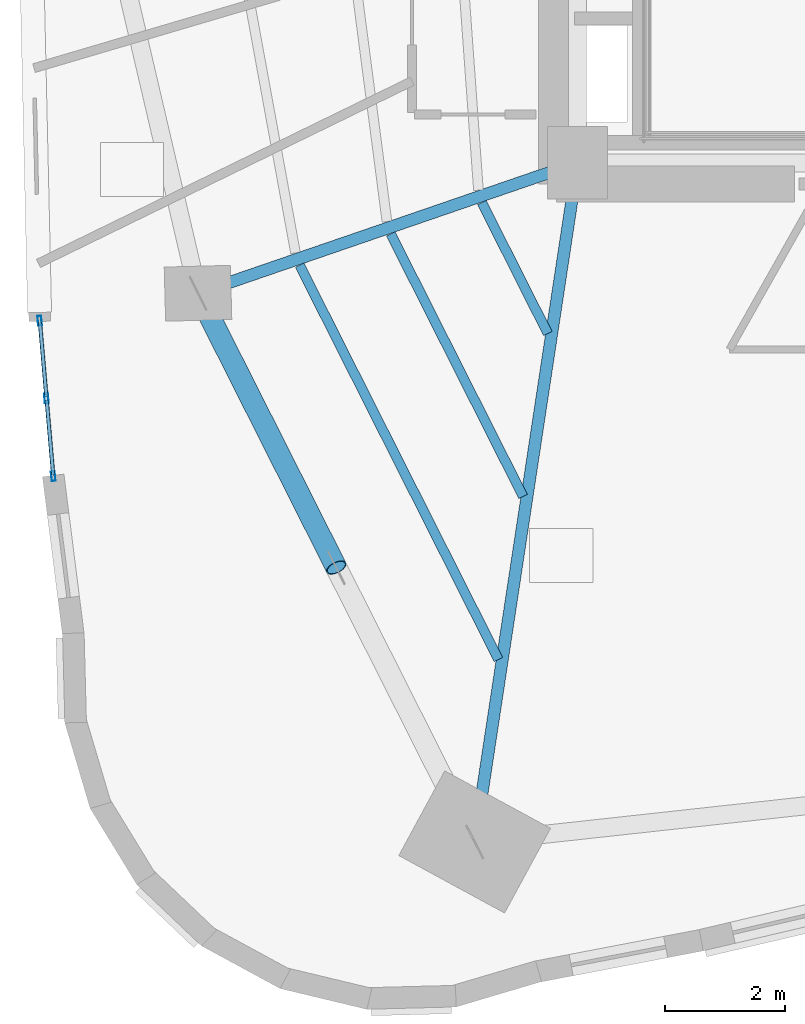
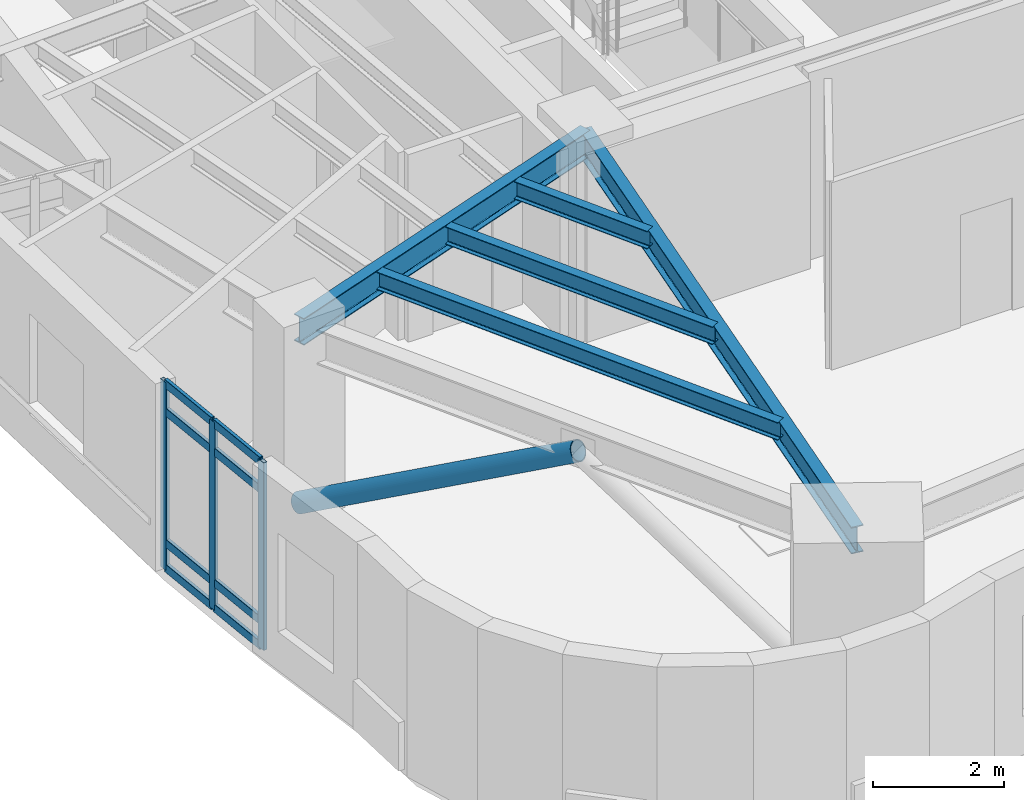
# One storey, part 2 of 16: 12 members, 5 beams, 1 element without a shape of its own.
"""IFC4 building model written with IfcOpenShell, lengths in metres."""

from ifc_helpers import new_model, si_unit, direction, frame, origin, origin_2d, place, context, subcontext, project, spatial, hollow_rectangle, hollow_circle, i_section, extrude, material, layer, layer_set, material_profile, profile_set, type_object, element, aggregate, save


model = new_model("IFC4")

# Units and contexts
model_context = context("Model", 3, precision=1e-05, world=origin(), true_north=direction((0.0, 1.0)))
body_context = subcontext(model_context, "Body", "Model", "MODEL_VIEW")
ifc_project = project(units=[si_unit("LENGTHUNIT", "METRE"), si_unit("AREAUNIT", "SQUARE_METRE"), si_unit("VOLUMEUNIT", "CUBIC_METRE"), si_unit("PLANEANGLEUNIT", "RADIAN"), si_unit("MASSUNIT", "GRAM", prefix="KILO")], contexts=[model_context])

# Site, building, storey
site_placement = place(None, origin())
site = spatial("IfcSite", under=ifc_project, at=site_placement, CompositionType="ELEMENT")
building_placement = place(site_placement, origin())
building = spatial("IfcBuilding", under=site, at=building_placement, Name="Ndelora Gate Hotel", CompositionType="ELEMENT")
storey_placement = place(building_placement, frame((0.0, 0.0, 97.25)))
storey = spatial("IfcBuildingStorey", under=building, at=storey_placement, Name="L23", CompositionType="ELEMENT", Elevation=97.25)

# Beams
ifc_material_1 = material(Name="Steel S355", Category="steel")
ifc_material_profile_1 = material_profile(ifc_material_1, i_section(OverallWidth=0.159912109375, OverallDepth=0.330078125, WebThickness=0.007568359375, FlangeThickness=0.011474609375, FilletRadius=0.01806640625, at=origin_2d()), Name="IPE 330")
ifc_profile_set_1 = profile_set([ifc_material_profile_1], Name="Steel S355")
beam_type_1 = type_object("IfcBeamType", Name="BM-JST-330", PredefinedType="JOIST", material=ifc_profile_set_1)
beam_1_placement = place(storey_placement, frame((-9.59033203125, -7.26171875, 3.3349609375), z_axis=(0.450139260243, -0.892958367668, 0.0), x_axis=(0.892958367668, 0.450139260243, 0.0)))
element("IfcBeam", 1, at=beam_1_placement, inside=storey, type_object=beam_type_1, Name="L23 Secondary Composite Floor Joist IN-4", PredefinedType="JOIST", context=body_context, shape_type="SweptSolid", body=[
    extrude(i_section(OverallWidth=0.159912109375, OverallDepth=0.330078125, WebThickness=0.007568359375, FlangeThickness=0.011474609375, FilletRadius=0.01806640625, at=origin_2d()), origin(), (0.0, 0.0, 1.0), 2.4345703125),
])
beam_2_placement = place(storey_placement, frame((-11.10400390625, -7.781982421875, 3.3349609375), z_axis=(0.450189724408, -0.892932926953, 0.0), x_axis=(0.892932926953, 0.450189724408, 0.0)))
element("IfcBeam", 2, at=beam_2_placement, inside=storey, type_object=beam_type_1, Name="L23 Secondary Composite Floor Joist MID-4", PredefinedType="JOIST", context=body_context, shape_type="SweptSolid", body=[
    extrude(i_section(OverallWidth=0.159912109375, OverallDepth=0.330078125, WebThickness=0.007568359375, FlangeThickness=0.011474609375, FilletRadius=0.01806640625, at=origin_2d()), origin(), (0.0, 0.0, 1.0), 4.885009765625),
])
beam_3_placement = place(storey_placement, frame((-12.617919921875, -8.30224609375, 3.3349609375), z_axis=(0.45023300903, -0.892911102843, 0.0), x_axis=(0.892911102843, 0.45023300903, 0.0)))
element("IfcBeam", 3, at=beam_3_placement, inside=storey, type_object=beam_type_1, Name="L23 Secondary Composite Floor Joist OUT-4", PredefinedType="JOIST", context=body_context, shape_type="SweptSolid", body=[
    extrude(i_section(OverallWidth=0.159912109375, OverallDepth=0.330078125, WebThickness=0.007568359375, FlangeThickness=0.011474609375, FilletRadius=0.01806640625, at=origin_2d()), origin(), (0.0, 0.0, 1.0), 7.335693359375),
])
ifc_material_profile_2 = material_profile(ifc_material_1, i_section(OverallWidth=0.199951171875, OverallDepth=0.5, WebThickness=0.01025390625, FlangeThickness=0.01611328125, FilletRadius=0.02099609375, at=origin_2d()), Name="IPE 500")
ifc_profile_set_2 = profile_set([ifc_material_profile_2], Name="Steel S355")
beam_type_2 = type_object("IfcBeamType", Name="BM-RAD-500", PredefinedType="BEAM", material=ifc_profile_set_2)
beam_4_placement = place(storey_placement, frame((-8.0, -6.60009765625, 3.25), z_axis=(-0.945717893913, -0.324988715392, 0.0), x_axis=(0.324988715392, -0.945717893913, 0.0)))
element("IfcBeam", 4, at=beam_4_placement, inside=storey, type_object=beam_type_2, Name="L23 Radial Floor Girder 4", PredefinedType="BEAM", context=body_context, shape_type="SweptSolid", body=[
    extrude(i_section(OverallWidth=0.199951171875, OverallDepth=0.5, WebThickness=0.01025390625, FlangeThickness=0.01611328125, FilletRadius=0.02099609375, at=origin_2d()), origin(), (0.0, 0.0, 1.0), 6.66943359375),
])
beam_5_placement = place(storey_placement, frame((-8.0, -6.60009765625, 3.25), z_axis=(-0.149864309615, -0.988706573612, 0.0), x_axis=(0.988706573612, -0.149864309615, 0.0)))
element("IfcBeam", 5, at=beam_5_placement, inside=storey, type_object=beam_type_2, Name="L23 Radial Floor Girder 5", PredefinedType="BEAM", context=body_context, shape_type="SweptSolid", body=[
    extrude(i_section(OverallWidth=0.199951171875, OverallDepth=0.5, WebThickness=0.01025390625, FlangeThickness=0.01611328125, FilletRadius=0.02099609375, at=origin_2d()), origin(), (0.0, 0.0, 1.0), 11.413330078125),
])

# Curtain wall, members
ifc_material_2 = material(Name="Bronze Anodised Unitised Aluminium and Low-E Glass", Category="aluminium")
ifc_layer = layer(ifc_material_2, 0.2099609375)
ifc_layer_set = layer_set([ifc_layer], Name="Bronze Anodised Unitised Aluminium and Low-E Glass")
curtain_wall_type = type_object("IfcCurtainWallType", Name="CW-SYS-4", PredefinedType="NOTDEFINED", material=ifc_layer_set)
curtain_wall_placement = place(storey_placement, origin())
curtain_wall = element("IfcCurtainWall", 6, at=curtain_wall_placement, inside=storey, type_object=curtain_wall_type, Name="L23 Lower Sky-Lobby & Highland Spa Curtain Wall 2", PredefinedType="NOTDEFINED")
ifc_material_3 = material(Name="Bronze Anodised Aluminium 6063-T6", Category="aluminium")
ifc_material_profile_3 = material_profile(ifc_material_3, hollow_rectangle(XDim=0.06494140625, YDim=0.159912109375, WallThickness=0.00390625, InnerFilletRadius=0.00390625, OuterFilletRadius=0.008056640625, at=origin_2d()), Name="ALU 160x65x4")
ifc_profile_set_3 = profile_set([ifc_material_profile_3], Name="Bronze Anodised Aluminium 6063-T6")
member_type_1 = type_object("IfcMemberType", Name="MB-CW-MUL150", PredefinedType="MULLION", material=ifc_profile_set_3)
member_1_placement = place(storey_placement, frame((-16.936767578125, -9.22265625, -0.00390625), z_axis=(0.0, 0.0, 1.0), x_axis=(0.996237342509, 0.086666933668, 0.0)))
member_1 = element("IfcMember", 7, at=member_1_placement, type_object=member_type_1, Name="CW4 mullion 1", PredefinedType="MULLION", context=body_context, shape_type="SweptSolid", body=[
    extrude(hollow_rectangle(XDim=0.06494140625, YDim=0.159912109375, WallThickness=0.00390625, InnerFilletRadius=0.00390625, OuterFilletRadius=0.008056640625, at=origin_2d()), origin(), (0.0, 0.0, 1.0), 3.5078125),
])
member_2_placement = place(storey_placement, frame((-16.82421875, -10.514892578125, -0.00390625), z_axis=(0.0, 0.0, 1.0), x_axis=(0.996237342509, 0.086666933668, 0.0)))
member_2 = element("IfcMember", 8, at=member_2_placement, type_object=member_type_1, Name="CW4 mullion 2", PredefinedType="MULLION", context=body_context, shape_type="SweptSolid", body=[
    extrude(hollow_rectangle(XDim=0.06494140625, YDim=0.159912109375, WallThickness=0.00390625, InnerFilletRadius=0.00390625, OuterFilletRadius=0.008056640625, at=origin_2d()), origin(), (0.0, 0.0, 1.0), 3.5078125),
])
member_3_placement = place(storey_placement, frame((-16.7119140625, -11.807373046875, -0.00390625), z_axis=(0.0, 0.0, 1.0), x_axis=(0.996237342509, 0.086666933668, 0.0)))
member_3 = element("IfcMember", 9, at=member_3_placement, type_object=member_type_1, Name="CW4 mullion 3", PredefinedType="MULLION", context=body_context, shape_type="SweptSolid", body=[
    extrude(hollow_rectangle(XDim=0.06494140625, YDim=0.159912109375, WallThickness=0.00390625, InnerFilletRadius=0.00390625, OuterFilletRadius=0.008056640625, at=origin_2d()), origin(), (0.0, 0.0, 1.0), 3.5078125),
])
ifc_material_profile_4 = material_profile(ifc_material_3, hollow_rectangle(XDim=0.06494140625, YDim=0.159912109375, WallThickness=0.00390625, InnerFilletRadius=0.00390625, OuterFilletRadius=0.008056640625, at=origin_2d()), Name="ALU 160x65x4")
ifc_profile_set_4 = profile_set([ifc_material_profile_4], Name="Bronze Anodised Aluminium 6063-T6")
member_type_2 = type_object("IfcMemberType", Name="MB-CW-TRN150", PredefinedType="USERDEFINED", material=ifc_profile_set_4)
member_4_placement = place(storey_placement, frame((-16.934326171875, -9.2490234375, 0.032470703125), z_axis=(0.086536472195, -0.996248683302, 0.0), x_axis=(0.996248683302, 0.086536472195, 0.0)))
member_4 = element("IfcMember", 10, at=member_4_placement, type_object=member_type_2, Name="CW4 transom 1.1", ObjectType="TRANSOM", PredefinedType="USERDEFINED", context=body_context, shape_type="SweptSolid", body=[
    extrude(hollow_rectangle(XDim=0.06494140625, YDim=0.159912109375, WallThickness=0.00390625, InnerFilletRadius=0.00390625, OuterFilletRadius=0.008056640625, at=origin_2d()), origin(), (0.0, 0.0, 1.0), 1.244140625),
])
member_5_placement = place(storey_placement, frame((-16.934326171875, -9.2490234375, 0.5), z_axis=(0.086536472195, -0.996248683302, 0.0), x_axis=(0.996248683302, 0.086536472195, 0.0)))
member_5 = element("IfcMember", 11, at=member_5_placement, type_object=member_type_2, Name="CW4 transom 1.2", ObjectType="TRANSOM", PredefinedType="USERDEFINED", context=body_context, shape_type="SweptSolid", body=[
    extrude(hollow_rectangle(XDim=0.06494140625, YDim=0.159912109375, WallThickness=0.00390625, InnerFilletRadius=0.00390625, OuterFilletRadius=0.008056640625, at=origin_2d()), origin(), (0.0, 0.0, 1.0), 1.244140625),
])
member_6_placement = place(storey_placement, frame((-16.934326171875, -9.2490234375, 2.949951171875), z_axis=(0.086536472195, -0.996248683302, 0.0), x_axis=(0.996248683302, 0.086536472195, 0.0)))
member_6 = element("IfcMember", 12, at=member_6_placement, type_object=member_type_2, Name="CW4 transom 1.3", ObjectType="TRANSOM", PredefinedType="USERDEFINED", context=body_context, shape_type="SweptSolid", body=[
    extrude(hollow_rectangle(XDim=0.06494140625, YDim=0.159912109375, WallThickness=0.00390625, InnerFilletRadius=0.00390625, OuterFilletRadius=0.008056640625, at=origin_2d()), origin(), (0.0, 0.0, 1.0), 1.244140625),
])
member_7_placement = place(storey_placement, frame((-16.934326171875, -9.2490234375, 3.467529296875), z_axis=(0.086536472195, -0.996248683302, 0.0), x_axis=(0.996248683302, 0.086536472195, 0.0)))
member_7 = element("IfcMember", 13, at=member_7_placement, type_object=member_type_2, Name="CW4 transom 1.4", ObjectType="TRANSOM", PredefinedType="USERDEFINED", context=body_context, shape_type="SweptSolid", body=[
    extrude(hollow_rectangle(XDim=0.06494140625, YDim=0.159912109375, WallThickness=0.00390625, InnerFilletRadius=0.00390625, OuterFilletRadius=0.008056640625, at=origin_2d()), origin(), (0.0, 0.0, 1.0), 1.244140625),
])
member_8_placement = place(storey_placement, frame((-16.822021484375, -10.54150390625, 0.032470703125), z_axis=(0.086731225595, -0.99623174739, 0.0), x_axis=(0.99623174739, 0.086731225595, 0.0)))
member_8 = element("IfcMember", 14, at=member_8_placement, type_object=member_type_2, Name="CW4 transom 2.1", ObjectType="TRANSOM", PredefinedType="USERDEFINED", context=body_context, shape_type="SweptSolid", body=[
    extrude(hollow_rectangle(XDim=0.06494140625, YDim=0.159912109375, WallThickness=0.00390625, InnerFilletRadius=0.00390625, OuterFilletRadius=0.008056640625, at=origin_2d()), origin(), (0.0, 0.0, 1.0), 1.244140625),
])
member_9_placement = place(storey_placement, frame((-16.822021484375, -10.54150390625, 0.5), z_axis=(0.086731225595, -0.99623174739, 0.0), x_axis=(0.99623174739, 0.086731225595, 0.0)))
member_9 = element("IfcMember", 15, at=member_9_placement, type_object=member_type_2, Name="CW4 transom 2.2", ObjectType="TRANSOM", PredefinedType="USERDEFINED", context=body_context, shape_type="SweptSolid", body=[
    extrude(hollow_rectangle(XDim=0.06494140625, YDim=0.159912109375, WallThickness=0.00390625, InnerFilletRadius=0.00390625, OuterFilletRadius=0.008056640625, at=origin_2d()), origin(), (0.0, 0.0, 1.0), 1.244140625),
])
member_10_placement = place(storey_placement, frame((-16.822021484375, -10.54150390625, 2.949951171875), z_axis=(0.086731225595, -0.99623174739, 0.0), x_axis=(0.99623174739, 0.086731225595, 0.0)))
member_10 = element("IfcMember", 16, at=member_10_placement, type_object=member_type_2, Name="CW4 transom 2.3", ObjectType="TRANSOM", PredefinedType="USERDEFINED", context=body_context, shape_type="SweptSolid", body=[
    extrude(hollow_rectangle(XDim=0.06494140625, YDim=0.159912109375, WallThickness=0.00390625, InnerFilletRadius=0.00390625, OuterFilletRadius=0.008056640625, at=origin_2d()), origin(), (0.0, 0.0, 1.0), 1.244140625),
])
member_11_placement = place(storey_placement, frame((-16.822021484375, -10.54150390625, 3.467529296875), z_axis=(0.086731225595, -0.99623174739, 0.0), x_axis=(0.99623174739, 0.086731225595, 0.0)))
member_11 = element("IfcMember", 17, at=member_11_placement, type_object=member_type_2, Name="CW4 transom 2.4", ObjectType="TRANSOM", PredefinedType="USERDEFINED", context=body_context, shape_type="SweptSolid", body=[
    extrude(hollow_rectangle(XDim=0.06494140625, YDim=0.159912109375, WallThickness=0.00390625, InnerFilletRadius=0.00390625, OuterFilletRadius=0.008056640625, at=origin_2d()), origin(), (0.0, 0.0, 1.0), 1.244140625),
])
aggregate(curtain_wall, [member_1, member_2, member_3, member_4, member_5, member_6, member_7, member_8, member_9, member_10, member_11])

# Member
ifc_material_profile_5 = material_profile(ifc_material_1, hollow_circle(Radius=0.177978515625, WallThickness=0.01611328125, at=origin_2d()), Name="CHS 356x16")
ifc_profile_set_5 = profile_set([ifc_material_profile_5], Name="Steel S355")
member_type_3 = type_object("IfcMemberType", Name="MB-TUBE-356", PredefinedType="BRACE", material=ifc_profile_set_5)
member_12_placement = place(storey_placement, frame((-14.307373046875, -8.767578125, 0.02001953125), z_axis=(0.390508461166, -0.774422037007, 0.497768671529), x_axis=(0.892901251526, 0.450252545826, 0.0)))
element("IfcMember", 18, at=member_12_placement, inside=storey, type_object=member_type_3, Name="L23 Perimeter Braced-Tube Diagonal 4A", PredefinedType="BRACE", context=body_context, shape_type="SweptSolid", body=[
    extrude(hollow_circle(Radius=0.177978515625, WallThickness=0.01611328125, at=origin_2d()), origin(), (0.0, 0.0, 1.0), 5.88623046875),
])

save(model, "model.ifc")
